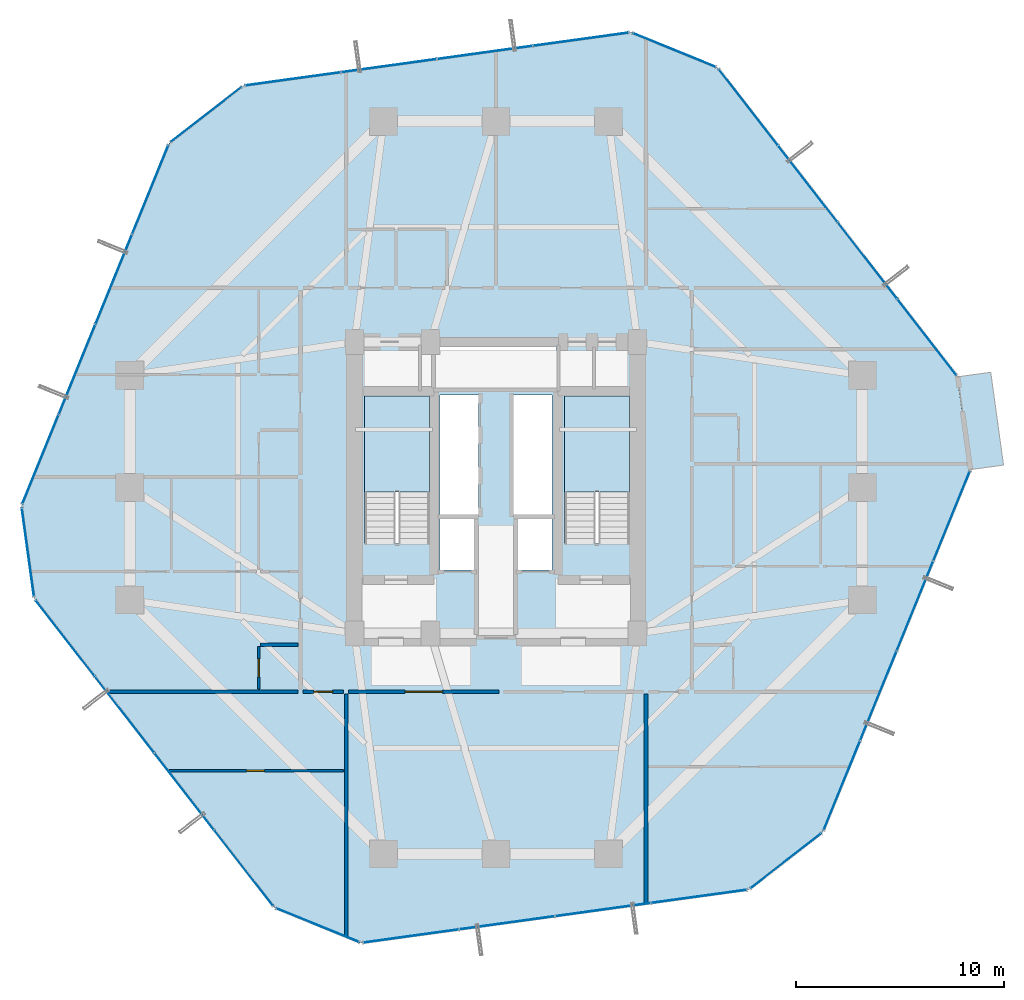
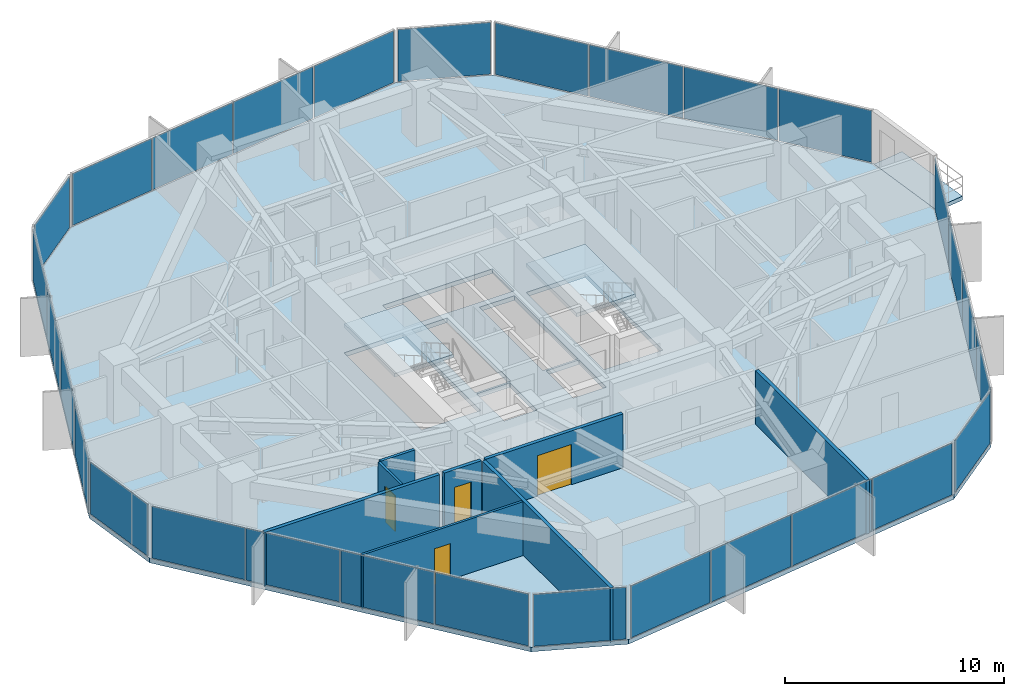
# One storey, part 32 of 37: 29 plates, 8 walls, 4 doors, 4 slabs, 4 openings, 13 elements without a shape of their own.
"""IFC4 building model written with IfcOpenShell, lengths in metres."""

from ifc_helpers import new_model, si_unit, direction, frame, frame_2d, origin, origin_2d, place, context, subcontext, project, spatial, polyline, rectangle, outline, extrude, source, transform, mapped, material, layer, layer_set, type_object, element, fill, aggregate, save


model = new_model("IFC4")

# Units and contexts
model_context = context("Model", 3, precision=1e-05, world=origin(), true_north=direction((0.0, 1.0)))
body_context = subcontext(model_context, "Body", "Model", "MODEL_VIEW")
ifc_project = project(units=[si_unit("LENGTHUNIT", "METRE"), si_unit("AREAUNIT", "SQUARE_METRE"), si_unit("VOLUMEUNIT", "CUBIC_METRE"), si_unit("PLANEANGLEUNIT", "RADIAN"), si_unit("MASSUNIT", "GRAM", prefix="KILO")], contexts=[model_context])

# Site, building, storey
site_placement = place(None, origin())
site = spatial("IfcSite", under=ifc_project, at=site_placement, CompositionType="ELEMENT")
building_placement = place(site_placement, origin())
building = spatial("IfcBuilding", under=site, at=building_placement, Name="Veraguas Prism Commons", CompositionType="ELEMENT")
storey_placement = place(building_placement, frame((0.0, 0.0, 50.050048828125)))
storey = spatial("IfcBuildingStorey", under=building, at=storey_placement, Name="L13", CompositionType="ELEMENT", Elevation=50.050048828125)

# Stair, slab
ifc_material_1 = material(Name="Precast concrete C45/55", Category="concrete")
stair_type = type_object("IfcStairType", Name="Dogleg Core Stair 1480W 20R 05", PredefinedType="HALF_TURN_STAIR", material=ifc_material_1)
stair_1_placement = place(storey_placement, origin())
stair_1 = element("IfcStair", 1, at=stair_1_placement, inside=storey, type_object=stair_type, Name="Protected Exit Stair ST-01 L13", PredefinedType="HALF_TURN_STAIR")
ifc_layer_1 = layer(ifc_material_1, 0.199951171875, Name="Precast Stair and Ramp Landing Slab 200", Category="concrete")
ifc_layer_set_1 = layer_set([ifc_layer_1], Name="Precast concrete C45/55")
slab_type_1 = type_object("IfcSlabType", Name="Precast Stair and Ramp Landing Slab 200", PredefinedType="LANDING", material=ifc_layer_set_1)
slab_1_placement = place(storey_placement, frame((0.0, 0.0, 1.425048828125)))
slab_1 = element("IfcSlab", 2, at=slab_1_placement, type_object=slab_type_1, Name="ST-05 Landing 1", PredefinedType="LANDING", context=body_context, shape_type="SweptSolid", body=[
    extrude(outline(polyline([(20.800048828125, 23.800048828125), (20.800048828125, 28.39990234375), (17.68994140625, 28.39990234375), (17.68994140625, 23.800048828125), (20.800048828125, 23.800048828125)])), origin(), (0.0, 0.0, 1.0), 0.199951171875),
])
aggregate(stair_1, [slab_1])

stair_2_placement = place(storey_placement, origin())
stair_2 = element("IfcStair", 3, at=stair_2_placement, inside=storey, type_object=stair_type, Name="Protected Exit Stair ST-02 L13", PredefinedType="HALF_TURN_STAIR")
slab_2_placement = place(storey_placement, frame((0.0, 0.0, 1.425048828125)))
slab_2 = element("IfcSlab", 4, at=slab_2_placement, type_object=slab_type_1, Name="ST-05 Landing 1", PredefinedType="LANDING", context=body_context, shape_type="SweptSolid", body=[
    extrude(outline(polyline([(30.39990234375, 23.800048828125), (30.39990234375, 28.39990234375), (27.2900390625, 28.39990234375), (27.2900390625, 23.800048828125), (30.39990234375, 23.800048828125)])), origin(), (0.0, 0.0, 1.0), 0.199951171875),
])
aggregate(stair_2, [slab_2])

# Slabs
ifc_material_2 = material(Name="Concrete C45/55", Category="concrete")
ifc_layer_2 = layer(ifc_material_2, 0.219970703125, Name="Recessed Loggia and Terrace Slab RC 220", Category="concrete")
ifc_layer_set_2 = layer_set([ifc_layer_2], Name="Concrete C45/55")
slab_type_2 = type_object("IfcSlabType", Name="Recessed Loggia and Terrace Slab RC 220", PredefinedType="FLOOR", material=ifc_layer_set_2)
slab_3_placement = place(storey_placement, frame((0.0, 0.0, -0.219970703125)))
element("IfcSlab", 5, at=slab_3_placement, inside=storey, type_object=slab_type_2, Name="Recessed Corner Loggia L13-C1", PredefinedType="FLOOR", context=body_context, shape_type="SweptSolid", body=[
    extrude(outline(polyline([(46.77587890625, 24.864990234375), (48.380615234375, 25.085693359375), (47.766845703125, 29.543701171875), (46.162109375, 29.32275390625), (46.77587890625, 24.864990234375)])), origin(), (0.0, 0.0, 1.0), 0.219970703125),
])
ifc_layer_3 = layer(ifc_material_2, 0.25, Name="Tower Lower Residential Floor Slab RC 250", Category="concrete")
ifc_layer_set_3 = layer_set([ifc_layer_3], Name="Concrete C45/55")
slab_type_3 = type_object("IfcSlabType", Name="Tower Lower Residential Floor Slab RC 250", PredefinedType="FLOOR", material=ifc_layer_set_3)
slab_4_placement = place(storey_placement, frame((0.0, 0.0, -0.25)))
element("IfcSlab", 6, at=slab_4_placement, inside=storey, type_object=slab_type_3, Name="Tower Floor Slab L13", PredefinedType="FLOOR", context=body_context, shape_type="SweptSolid", body=[
    extrude(outline(polyline([(46.795654296875, 24.86767578125), (46.181884765625, 29.325439453125), (34.646484375, 44.17529296875), (30.47900390625, 45.872802734375), (11.850830078125, 43.307861328125), (8.297119140625, 40.54736328125), (1.204345703125, 23.13232421875), (1.818115234375, 18.674560546875), (13.353515625, 3.82470703125), (17.52099609375, 2.127197265625), (36.149169921875, 4.692138671875), (39.702880859375, 7.45263671875), (46.795654296875, 24.86767578125)]), holes=[polyline([(20.800048828125, 21.31005859375), (20.800048828125, 28.39990234375), (17.68994140625, 28.39990234375), (17.68994140625, 21.31005859375), (20.800048828125, 21.31005859375)]), polyline([(30.39990234375, 21.31005859375), (30.39990234375, 28.39990234375), (27.2900390625, 28.39990234375), (27.2900390625, 21.31005859375), (30.39990234375, 21.31005859375)]), polyline([(21.300048828125, 22.64990234375), (23.14990234375, 22.64990234375), (23.14990234375, 28.449951171875), (21.300048828125, 28.449951171875), (21.300048828125, 22.64990234375)]), polyline([(24.85009765625, 22.64990234375), (26.699951171875, 22.64990234375), (26.699951171875, 28.449951171875), (24.85009765625, 28.449951171875), (24.85009765625, 22.64990234375)]), polyline([(21.10009765625, 28.800048828125), (26.89990234375, 28.800048828125), (26.89990234375, 30.800048828125), (21.10009765625, 30.800048828125), (21.10009765625, 28.800048828125)]), polyline([(21.300048828125, 20.050048828125), (23.050048828125, 20.050048828125), (23.050048828125, 22.550048828125), (21.300048828125, 22.550048828125), (21.300048828125, 20.050048828125)]), polyline([(24.949951171875, 20.050048828125), (26.699951171875, 20.050048828125), (26.699951171875, 22.550048828125), (24.949951171875, 22.550048828125), (24.949951171875, 20.050048828125)])]), origin(), (0.0, 0.0, 1.0), 0.25),
])

# Curtain wall, plates
ifc_material_3 = material(Name="Anodised aluminium EN AW-6063 T6", Category="aluminium")
ifc_layer_4 = layer(ifc_material_3, 0.169921875, Name="Unitised Flush Curtain Wall Zone 1", Category="aluminium")
ifc_layer_set_4 = layer_set([ifc_layer_4], Name="Anodised aluminium EN AW-6063 T6")
curtain_wall_type = type_object("IfcCurtainWallType", Name="Unitised Flush Curtain Wall Zone 1", PredefinedType="NOTDEFINED", material=ifc_layer_set_4)
curtain_wall_1_placement = place(storey_placement, origin())
curtain_wall_1 = element("IfcCurtainWall", 7, at=curtain_wall_1_placement, inside=storey, type_object=curtain_wall_type, Name="Tower Facade Curtain Wall L13-F1", PredefinedType="NOTDEFINED")
ifc_material_4 = material(Name="Laminated low-e glass", Category="glass")
ifc_layer_5 = layer(ifc_material_4, 0.028076171875, Name="Unitised Double Low-E Glazed Panel 28", Category="glass")
ifc_layer_set_5 = layer_set([ifc_layer_5], Name="Laminated low-e glass")
plate_type = type_object("IfcPlateType", Name="Unitised Double Low-E Glazed Panel 28", PredefinedType="CURTAIN_PANEL", material=ifc_layer_set_5)
shared_shape_1 = source(origin(), body_context, "Body", "SweptSolid", [
    extrude(rectangle(XDim=4.5810546875, YDim=0.028076171875, at=origin_2d()), origin(), (0.0, 0.0, 1.0), 2.889892578125),
])
plate_1_placement = place(storey_placement, frame((44.703125, 31.229248046875, 0.05517578125), z_axis=(0.0, 0.0, 1.0), x_axis=(-0.613461293172, 0.789724788632, 0.0)))
plate_1 = element("IfcPlate", 8, at=plate_1_placement, type_object=plate_type, Name="CW-Z1 Panel 1.1", PredefinedType="CURTAIN_PANEL", context=body_context, shape_type="MappedRepresentation", body=[
    mapped(shared_shape_1, transform((0.0, 0.0, 0.0), scale=1.0)),
])
plate_2_placement = place(storey_placement, frame((36.125244140625, 42.271728515625, 0.05517578125), z_axis=(0.0, 0.0, 1.0), x_axis=(-0.613461293172, 0.789724788632, 0.0)))
plate_2 = element("IfcPlate", 9, at=plate_2_placement, type_object=plate_type, Name="CW-Z1 Panel 4.1", PredefinedType="CURTAIN_PANEL", context=body_context, shape_type="MappedRepresentation", body=[
    mapped(shared_shape_1, transform((0.0, 0.0, 0.0), scale=1.0)),
])

curtain_wall_2_placement = place(storey_placement, origin())
curtain_wall_2 = element("IfcCurtainWall", 10, at=curtain_wall_2_placement, inside=storey, type_object=curtain_wall_type, Name="Tower Facade Curtain Wall L13-F2", PredefinedType="NOTDEFINED")
plate_3_placement = place(storey_placement, frame((28.091064453125, 45.5439453125, 0.05517578125), z_axis=(0.0, 0.0, 1.0), x_axis=(-0.99065308977, -0.136405482764, 0.0)))
plate_3 = element("IfcPlate", 11, at=plate_3_placement, type_object=plate_type, Name="CW-Z1 Panel 1.1", PredefinedType="CURTAIN_PANEL", context=body_context, shape_type="MappedRepresentation", body=[
    mapped(shared_shape_1, transform((0.0, 0.0, 0.0), scale=1.0)),
])
plate_4_placement = place(storey_placement, frame((14.23876953125, 43.63671875, 0.05517578125), z_axis=(0.0, 0.0, 1.0), x_axis=(-0.99065308977, -0.136405482764, 0.0)))
plate_4 = element("IfcPlate", 12, at=plate_4_placement, type_object=plate_type, Name="CW-Z1 Panel 4.1", PredefinedType="CURTAIN_PANEL", context=body_context, shape_type="MappedRepresentation", body=[
    mapped(shared_shape_1, transform((0.0, 0.0, 0.0), scale=1.0)),
])

curtain_wall_3_placement = place(storey_placement, origin())
curtain_wall_3 = element("IfcCurtainWall", 13, at=curtain_wall_3_placement, inside=storey, type_object=curtain_wall_type, Name="Tower Facade Curtain Wall L13-F3", PredefinedType="NOTDEFINED")
plate_5_placement = place(storey_placement, frame((7.3876953125, 38.31494140625, 0.05517578125), z_axis=(0.0, 0.0, 1.0), x_axis=(-0.377197548003, -0.926132825128, 0.0)))
plate_5 = element("IfcPlate", 14, at=plate_5_placement, type_object=plate_type, Name="CW-Z1 Panel 1.1", PredefinedType="CURTAIN_PANEL", context=body_context, shape_type="MappedRepresentation", body=[
    mapped(shared_shape_1, transform((0.0, 0.0, 0.0), scale=1.0)),
])
plate_6_placement = place(storey_placement, frame((2.113525390625, 25.36474609375, 0.05517578125), z_axis=(0.0, 0.0, 1.0), x_axis=(-0.377197548003, -0.926132825128, 0.0)))
plate_6 = element("IfcPlate", 15, at=plate_6_placement, type_object=plate_type, Name="CW-Z1 Panel 4.1", PredefinedType="CURTAIN_PANEL", context=body_context, shape_type="MappedRepresentation", body=[
    mapped(shared_shape_1, transform((0.0, 0.0, 0.0), scale=1.0)),
])

curtain_wall_4_placement = place(storey_placement, origin())
curtain_wall_4 = element("IfcCurtainWall", 16, at=curtain_wall_4_placement, inside=storey, type_object=curtain_wall_type, Name="Tower Facade Curtain Wall L13-F4", PredefinedType="NOTDEFINED")
plate_7_placement = place(storey_placement, frame((3.296875, 16.770751953125, 0.05517578125), z_axis=(0.0, 0.0, 1.0), x_axis=(0.613461293172, -0.789724788632, 0.0)))
plate_7 = element("IfcPlate", 17, at=plate_7_placement, type_object=plate_type, Name="CW-Z1 Panel 1.1", PredefinedType="CURTAIN_PANEL", context=body_context, shape_type="MappedRepresentation", body=[
    mapped(shared_shape_1, transform((0.0, 0.0, 0.0), scale=1.0)),
])
plate_8_placement = place(storey_placement, frame((11.874755859375, 5.728271484375, 0.05517578125), z_axis=(0.0, 0.0, 1.0), x_axis=(0.613461293172, -0.789724788632, 0.0)))
plate_8 = element("IfcPlate", 18, at=plate_8_placement, type_object=plate_type, Name="CW-Z1 Panel 4.1", PredefinedType="CURTAIN_PANEL", context=body_context, shape_type="MappedRepresentation", body=[
    mapped(shared_shape_1, transform((0.0, 0.0, 0.0), scale=1.0)),
])

curtain_wall_5_placement = place(storey_placement, origin())
curtain_wall_5 = element("IfcCurtainWall", 19, at=curtain_wall_5_placement, inside=storey, type_object=curtain_wall_type, Name="Tower Facade Curtain Wall L13-F5", PredefinedType="NOTDEFINED")
plate_9_placement = place(storey_placement, frame((19.908935546875, 2.4560546875, 0.05517578125), z_axis=(0.0, 0.0, 1.0), x_axis=(0.99065308977, 0.136405482764, 0.0)))
plate_9 = element("IfcPlate", 20, at=plate_9_placement, type_object=plate_type, Name="CW-Z1 Panel 1.1", PredefinedType="CURTAIN_PANEL", context=body_context, shape_type="MappedRepresentation", body=[
    mapped(shared_shape_1, transform((0.0, 0.0, 0.0), scale=1.0)),
])
plate_10_placement = place(storey_placement, frame((33.76123046875, 4.36328125, 0.05517578125), z_axis=(0.0, 0.0, 1.0), x_axis=(0.99065308977, 0.136405482764, 0.0)))
plate_10 = element("IfcPlate", 21, at=plate_10_placement, type_object=plate_type, Name="CW-Z1 Panel 4.1", PredefinedType="CURTAIN_PANEL", context=body_context, shape_type="MappedRepresentation", body=[
    mapped(shared_shape_1, transform((0.0, 0.0, 0.0), scale=1.0)),
])

curtain_wall_6_placement = place(storey_placement, origin())
curtain_wall_6 = element("IfcCurtainWall", 22, at=curtain_wall_6_placement, inside=storey, type_object=curtain_wall_type, Name="Tower Facade Curtain Wall L13-F6", PredefinedType="NOTDEFINED")
plate_11_placement = place(storey_placement, frame((40.6123046875, 9.68505859375, 0.05517578125), z_axis=(0.0, 0.0, 1.0), x_axis=(0.377197548003, 0.926132825128, 0.0)))
plate_11 = element("IfcPlate", 23, at=plate_11_placement, type_object=plate_type, Name="CW-Z1 Panel 1.1", PredefinedType="CURTAIN_PANEL", context=body_context, shape_type="MappedRepresentation", body=[
    mapped(shared_shape_1, transform((0.0, 0.0, 0.0), scale=1.0)),
])
plate_12_placement = place(storey_placement, frame((45.886474609375, 22.63525390625, 0.05517578125), z_axis=(0.0, 0.0, 1.0), x_axis=(0.377197548003, 0.926132825128, 0.0)))
plate_12 = element("IfcPlate", 24, at=plate_12_placement, type_object=plate_type, Name="CW-Z1 Panel 4.1", PredefinedType="CURTAIN_PANEL", context=body_context, shape_type="MappedRepresentation", body=[
    mapped(shared_shape_1, transform((0.0, 0.0, 0.0), scale=1.0)),
])

# Plate
shared_shape_2 = source(origin(), body_context, "Body", "SweptSolid", [
    extrude(rectangle(XDim=4.611083984375, YDim=0.028076171875, at=origin_2d()), origin(), (0.0, 0.0, 1.0), 2.889892578125),
])
plate_13_placement = place(storey_placement, frame((23.478515625, 44.908935546875, 0.05517578125), z_axis=(0.0, 0.0, 1.0), x_axis=(-0.99065308977, -0.136405482764, 0.0)))
plate_13 = element("IfcPlate", 25, at=plate_13_placement, type_object=plate_type, Name="CW-Z1 Panel 2.1", PredefinedType="CURTAIN_PANEL", context=body_context, shape_type="MappedRepresentation", body=[
    mapped(shared_shape_2, transform((0.0, 0.0, 0.0), scale=1.0)),
])

plate_14_placement = place(storey_placement, frame((18.85107421875, 44.271728515625, 0.05517578125), z_axis=(0.0, 0.0, 1.0), x_axis=(-0.99065308977, -0.136405482764, 0.0)))
plate_14 = element("IfcPlate", 26, at=plate_14_placement, type_object=plate_type, Name="CW-Z1 Panel 3.1", PredefinedType="CURTAIN_PANEL", context=body_context, shape_type="MappedRepresentation", body=[
    mapped(shared_shape_2, transform((0.0, 0.0, 0.0), scale=1.0)),
])

aggregate(curtain_wall_2, [plate_3, plate_13, plate_14, plate_4])

plate_15_placement = place(storey_placement, frame((24.521484375, 3.091064453125, 0.05517578125), z_axis=(0.0, 0.0, 1.0), x_axis=(0.99065308977, 0.136405482764, 0.0)))
plate_15 = element("IfcPlate", 27, at=plate_15_placement, type_object=plate_type, Name="CW-Z1 Panel 2.1", PredefinedType="CURTAIN_PANEL", context=body_context, shape_type="MappedRepresentation", body=[
    mapped(shared_shape_2, transform((0.0, 0.0, 0.0), scale=1.0)),
])

plate_16_placement = place(storey_placement, frame((29.14892578125, 3.728271484375, 0.05517578125), z_axis=(0.0, 0.0, 1.0), x_axis=(0.99065308977, 0.136405482764, 0.0)))
plate_16 = element("IfcPlate", 28, at=plate_16_placement, type_object=plate_type, Name="CW-Z1 Panel 3.1", PredefinedType="CURTAIN_PANEL", context=body_context, shape_type="MappedRepresentation", body=[
    mapped(shared_shape_2, transform((0.0, 0.0, 0.0), scale=1.0)),
])

aggregate(curtain_wall_5, [plate_9, plate_15, plate_16, plate_10])

shared_shape_3 = source(origin(), body_context, "Body", "SweptSolid", [
    extrude(rectangle(XDim=4.61083984375, YDim=0.028076171875, at=origin_2d()), origin(), (0.0, 0.0, 1.0), 2.889892578125),
])
plate_17_placement = place(storey_placement, frame((41.846923828125, 34.906005859375, 0.05517578125), z_axis=(0.0, 0.0, 1.0), x_axis=(-0.613461293172, 0.789724788632, 0.0)))
plate_17 = element("IfcPlate", 29, at=plate_17_placement, type_object=plate_type, Name="CW-Z1 Panel 2.1", PredefinedType="CURTAIN_PANEL", context=body_context, shape_type="MappedRepresentation", body=[
    mapped(shared_shape_3, transform((0.0, 0.0, 0.0), scale=1.0)),
])

plate_18_placement = place(storey_placement, frame((38.9814453125, 38.5947265625, 0.05517578125), z_axis=(0.0, 0.0, 1.0), x_axis=(-0.613461293172, 0.789724788632, 0.0)))
plate_18 = element("IfcPlate", 30, at=plate_18_placement, type_object=plate_type, Name="CW-Z1 Panel 3.1", PredefinedType="CURTAIN_PANEL", context=body_context, shape_type="MappedRepresentation", body=[
    mapped(shared_shape_3, transform((0.0, 0.0, 0.0), scale=1.0)),
])

aggregate(curtain_wall_1, [plate_1, plate_17, plate_18, plate_2])

plate_19_placement = place(storey_placement, frame((5.631591796875, 34.0029296875, 0.05517578125), z_axis=(0.0, 0.0, 1.0), x_axis=(-0.377197548003, -0.926132825128, 0.0)))
plate_19 = element("IfcPlate", 31, at=plate_19_placement, type_object=plate_type, Name="CW-Z1 Panel 2.1", PredefinedType="CURTAIN_PANEL", context=body_context, shape_type="MappedRepresentation", body=[
    mapped(shared_shape_3, transform((0.0, 0.0, 0.0), scale=1.0)),
])

plate_20_placement = place(storey_placement, frame((3.86962890625, 29.677001953125, 0.05517578125), z_axis=(0.0, 0.0, 1.0), x_axis=(-0.377197548003, -0.926132825128, 0.0)))
plate_20 = element("IfcPlate", 32, at=plate_20_placement, type_object=plate_type, Name="CW-Z1 Panel 3.1", PredefinedType="CURTAIN_PANEL", context=body_context, shape_type="MappedRepresentation", body=[
    mapped(shared_shape_3, transform((0.0, 0.0, 0.0), scale=1.0)),
])

aggregate(curtain_wall_3, [plate_5, plate_19, plate_20, plate_6])

plate_21_placement = place(storey_placement, frame((6.153076171875, 13.093994140625, 0.05517578125), z_axis=(0.0, 0.0, 1.0), x_axis=(0.613461293172, -0.789724788632, 0.0)))
plate_21 = element("IfcPlate", 33, at=plate_21_placement, type_object=plate_type, Name="CW-Z1 Panel 2.1", PredefinedType="CURTAIN_PANEL", context=body_context, shape_type="MappedRepresentation", body=[
    mapped(shared_shape_3, transform((0.0, 0.0, 0.0), scale=1.0)),
])

plate_22_placement = place(storey_placement, frame((9.0185546875, 9.4052734375, 0.05517578125), z_axis=(0.0, 0.0, 1.0), x_axis=(0.613461293172, -0.789724788632, 0.0)))
plate_22 = element("IfcPlate", 34, at=plate_22_placement, type_object=plate_type, Name="CW-Z1 Panel 3.1", PredefinedType="CURTAIN_PANEL", context=body_context, shape_type="MappedRepresentation", body=[
    mapped(shared_shape_3, transform((0.0, 0.0, 0.0), scale=1.0)),
])

aggregate(curtain_wall_4, [plate_7, plate_21, plate_22, plate_8])

plate_23_placement = place(storey_placement, frame((42.368408203125, 13.9970703125, 0.05517578125), z_axis=(0.0, 0.0, 1.0), x_axis=(0.377197548003, 0.926132825128, 0.0)))
plate_23 = element("IfcPlate", 35, at=plate_23_placement, type_object=plate_type, Name="CW-Z1 Panel 2.1", PredefinedType="CURTAIN_PANEL", context=body_context, shape_type="MappedRepresentation", body=[
    mapped(shared_shape_3, transform((0.0, 0.0, 0.0), scale=1.0)),
])

plate_24_placement = place(storey_placement, frame((44.13037109375, 18.322998046875, 0.05517578125), z_axis=(0.0, 0.0, 1.0), x_axis=(0.377197548003, 0.926132825128, 0.0)))
plate_24 = element("IfcPlate", 36, at=plate_24_placement, type_object=plate_type, Name="CW-Z1 Panel 3.1", PredefinedType="CURTAIN_PANEL", context=body_context, shape_type="MappedRepresentation", body=[
    mapped(shared_shape_3, transform((0.0, 0.0, 0.0), scale=1.0)),
])

aggregate(curtain_wall_6, [plate_11, plate_23, plate_24, plate_12])

# Curtain wall, plate
curtain_wall_7_placement = place(storey_placement, origin())
curtain_wall_7 = element("IfcCurtainWall", 37, at=curtain_wall_7_placement, inside=storey, type_object=curtain_wall_type, Name="Chamfer Curtain Wall L13-C2", PredefinedType="NOTDEFINED")
shared_shape_4 = source(origin(), body_context, "Body", "SweptSolid", [
    extrude(rectangle(XDim=4.260009765625, YDim=0.028076171875, at=origin_2d()), origin(), (0.0, 0.0, 1.0), 2.889892578125),
])
plate_25_placement = place(storey_placement, frame((32.562744140625, 45.024169921875, 0.05517578125), z_axis=(0.0, 0.0, 1.0), x_axis=(-0.926124924918, 0.377216944801, 0.0)))
plate_25 = element("IfcPlate", 38, at=plate_25_placement, type_object=plate_type, Name="CW-Z1 Panel 1.1", PredefinedType="CURTAIN_PANEL", context=body_context, shape_type="MappedRepresentation", body=[
    mapped(shared_shape_4, transform((0.0, 0.0, 0.0), scale=1.0)),
])
aggregate(curtain_wall_7, [plate_25])

curtain_wall_8_placement = place(storey_placement, origin())
curtain_wall_8 = element("IfcCurtainWall", 39, at=curtain_wall_8_placement, inside=storey, type_object=curtain_wall_type, Name="Chamfer Curtain Wall L13-C3", PredefinedType="NOTDEFINED")
plate_26_placement = place(storey_placement, frame((10.073974609375, 41.927490234375, 0.05517578125), z_axis=(0.0, 0.0, 1.0), x_axis=(-0.789732283416, -0.613451644818, 0.0)))
plate_26 = element("IfcPlate", 40, at=plate_26_placement, type_object=plate_type, Name="CW-Z1 Panel 1.1", PredefinedType="CURTAIN_PANEL", context=body_context, shape_type="MappedRepresentation", body=[
    mapped(shared_shape_4, transform((0.0, 0.0, 0.0), scale=1.0)),
])
aggregate(curtain_wall_8, [plate_26])

curtain_wall_9_placement = place(storey_placement, origin())
curtain_wall_9 = element("IfcCurtainWall", 41, at=curtain_wall_9_placement, inside=storey, type_object=curtain_wall_type, Name="Chamfer Curtain Wall L13-C4", PredefinedType="NOTDEFINED")
plate_27_placement = place(storey_placement, frame((1.51123046875, 20.903564453125, 0.05517578125), z_axis=(0.0, 0.0, 1.0), x_axis=(0.136391650625, -0.990654994254, 0.0)))
plate_27 = element("IfcPlate", 42, at=plate_27_placement, type_object=plate_type, Name="CW-Z1 Panel 1.1", PredefinedType="CURTAIN_PANEL", context=body_context, shape_type="MappedRepresentation", body=[
    mapped(shared_shape_4, transform((0.0, 0.0, 0.0), scale=1.0)),
])
aggregate(curtain_wall_9, [plate_27])

curtain_wall_10_placement = place(storey_placement, origin())
curtain_wall_10 = element("IfcCurtainWall", 43, at=curtain_wall_10_placement, inside=storey, type_object=curtain_wall_type, Name="Chamfer Curtain Wall L13-C5", PredefinedType="NOTDEFINED")
plate_28_placement = place(storey_placement, frame((15.437255859375, 2.975830078125, 0.05517578125), z_axis=(0.0, 0.0, 1.0), x_axis=(0.926124924918, -0.377216944801, 0.0)))
plate_28 = element("IfcPlate", 44, at=plate_28_placement, type_object=plate_type, Name="CW-Z1 Panel 1.1", PredefinedType="CURTAIN_PANEL", context=body_context, shape_type="MappedRepresentation", body=[
    mapped(shared_shape_4, transform((0.0, 0.0, 0.0), scale=1.0)),
])
aggregate(curtain_wall_10, [plate_28])

curtain_wall_11_placement = place(storey_placement, origin())
curtain_wall_11 = element("IfcCurtainWall", 45, at=curtain_wall_11_placement, inside=storey, type_object=curtain_wall_type, Name="Chamfer Curtain Wall L13-C6", PredefinedType="NOTDEFINED")
plate_29_placement = place(storey_placement, frame((37.926025390625, 6.072509765625, 0.05517578125), z_axis=(0.0, 0.0, 1.0), x_axis=(0.789732283416, 0.613451644818, 0.0)))
plate_29 = element("IfcPlate", 46, at=plate_29_placement, type_object=plate_type, Name="CW-Z1 Panel 1.1", PredefinedType="CURTAIN_PANEL", context=body_context, shape_type="MappedRepresentation", body=[
    mapped(shared_shape_4, transform((0.0, 0.0, 0.0), scale=1.0)),
])
aggregate(curtain_wall_11, [plate_29])

# Walls
ifc_material_5 = material(Name="Autoclaved aerated masonry block 10 MPa", Category="masonry")
ifc_layer_6 = layer(ifc_material_5, 0.179931640625, Name="Corridor and Inter-Tenancy Partition 180", Category="masonry")
ifc_layer_set_6 = layer_set([ifc_layer_6], Name="Autoclaved aerated masonry block 10 MPa")
wall_type_1 = type_object("IfcWallType", Name="Corridor and Inter-Tenancy Partition 180", PredefinedType="PARTITIONING", material=ifc_layer_set_6)
wall_1_placement = place(storey_placement, frame((16.800048828125, 14.080078125, 0.0), z_axis=(0.0, 0.0, 1.0), x_axis=(0.0, -1.0, 0.0)))
element("IfcWall", 47, at=wall_1_placement, inside=storey, type_object=wall_type_1, Name="WL-L13-PT001", PredefinedType="PARTITIONING", context=body_context, shape_type="SweptSolid", body=[
    extrude(rectangle(XDim=11.691650390625, YDim=0.179931640625, at=frame_2d((5.845703125, 0.0))), origin(), (0.0, 0.0, 1.0), 3.0),
])
wall_2_placement = place(storey_placement, frame((31.199951171875, 14.080078125, 0.0), z_axis=(0.0, 0.0, 1.0), x_axis=(0.0, -1.0, 0.0)))
element("IfcWall", 48, at=wall_2_placement, inside=storey, type_object=wall_type_1, Name="WL-L13-PT002", PredefinedType="PARTITIONING", context=body_context, shape_type="SweptSolid", body=[
    extrude(rectangle(XDim=10.099609375, YDim=0.179931640625, at=frame_2d((5.0498046875, 0.0))), origin(), (0.0, 0.0, 1.0), 3.0),
])

# Wall, opening, door
wall_3_placement = place(storey_placement, frame((16.909912109375, 14.199951171875, 0.0), z_axis=(0.0, 0.0, 1.0), x_axis=(1.0, 0.0, 0.0)))
wall_3 = element("IfcWall", 49, at=wall_3_placement, inside=storey, type_object=wall_type_1, Name="WL-L13-PT003", PredefinedType="PARTITIONING", context=body_context, shape_type="SweptSolid", body=[
    extrude(rectangle(XDim=7.238037109375, YDim=0.179931640625, at=frame_2d((3.619140625, 0.0))), origin(), (0.0, 0.0, 1.0), 3.0),
])
opening_1_placement = place(wall_3_placement, frame((2.718994140625, 0.0, 0.0)))
opening_1 = element("IfcOpeningElement", 50, at=opening_1_placement, cuts=wall_3, Name="Opening DR-07", PredefinedType="OPENING", context=body_context, shape_type="SweptSolid", body=[
    extrude(rectangle(XDim=1.800048828125, YDim=2.25, at=frame_2d((0.89990234375, 1.125))), frame((0.0, 0.099853515625, 0.0), z_axis=(0.0, -1.0, 0.0), x_axis=(1.0, 0.0, 0.0)), (0.0, 0.0, 1.0), 0.199951171875),
])
ifc_material_6 = material(Name="Steel fire-rated door assembly", Category="steel")
door_type_1 = type_object("IfcDoorType", Name="Corridor Double Fire Door 1800x2250", OperationType="NOTDEFINED", PredefinedType="DOOR", material=ifc_material_6)
shared_shape_5 = source(origin(), body_context, "Body", "SweptSolid", [
    extrude(rectangle(XDim=1.800048828125, YDim=2.25, at=frame_2d((0.89990234375, 1.125))), frame((0.0, 0.02490234375, 0.0), z_axis=(0.0, -1.0, 0.0), x_axis=(1.0, 0.0, 0.0)), (0.0, 0.0, 1.0), 0.050048828125),
])
door_1_placement = place(opening_1_placement, origin())
door_1 = element("IfcDoor", 51, at=door_1_placement, inside=storey, type_object=door_type_1, Name="Community Multipurpose Assembly Hall Door 1", OperationType="SINGLE_SWING_LEFT", OverallHeight=2.25, OverallWidth=1.800048828125, PredefinedType="DOOR", context=body_context, shape_type="MappedRepresentation", body=[
    mapped(shared_shape_5, transform((0.0, 0.0, 0.0), scale=1.0)),
])
fill(opening_1, door_1)

# Wall
wall_4_placement = place(storey_placement, frame((14.47998046875, 14.199951171875, 0.0), z_axis=(0.0, 0.0, 1.0), x_axis=(-1.0, 0.0, 0.0)))
element("IfcWall", 52, at=wall_4_placement, inside=storey, type_object=wall_type_1, Name="WL-L13-PT016", PredefinedType="PARTITIONING", context=body_context, shape_type="SweptSolid", body=[
    extrude(rectangle(XDim=9.22412109375, YDim=0.179931640625, at=frame_2d((4.612060546875, 0.0))), origin(), (0.0, 0.0, 1.0), 3.0),
])

# Wall, opening, door
wall_5_placement = place(storey_placement, frame((14.719970703125, 14.199951171875, 0.0), z_axis=(0.0, 0.0, 1.0), x_axis=(1.0, 0.0, 0.0)))
wall_5 = element("IfcWall", 53, at=wall_5_placement, inside=storey, type_object=wall_type_1, Name="WL-L13-PT049", PredefinedType="PARTITIONING", context=body_context, shape_type="SweptSolid", body=[
    extrude(rectangle(XDim=1.9599609375, YDim=0.179931640625, at=frame_2d((0.97998046875, 0.0))), origin(), (0.0, 0.0, 1.0), 3.0),
])
opening_2_placement = place(wall_5_placement, frame((0.530029296875, 0.0, 0.0)))
opening_2 = element("IfcOpeningElement", 54, at=opening_2_placement, cuts=wall_5, Name="Opening DR-14", PredefinedType="OPENING", context=body_context, shape_type="SweptSolid", body=[
    extrude(rectangle(XDim=0.89990234375, YDim=2.010009765625, at=frame_2d((0.449951171875, 1.0048828125))), frame((0.0, 0.099853515625, 0.0), z_axis=(0.0, -1.0, 0.0), x_axis=(1.0, 0.0, 0.0)), (0.0, 0.0, 1.0), 0.199951171875),
])
door_type_2 = type_object("IfcDoorType", Name="Core Service Room Fire Door 900x2010", OperationType="NOTDEFINED", PredefinedType="DOOR", material=ifc_material_6)
shared_shape_6 = source(origin(), body_context, "Body", "SweptSolid", [
    extrude(rectangle(XDim=0.89990234375, YDim=2.010009765625, at=frame_2d((0.449951171875, 1.0048828125))), frame((0.0, 0.02490234375, 0.0), z_axis=(0.0, -1.0, 0.0), x_axis=(1.0, 0.0, 0.0)), (0.0, 0.0, 1.0), 0.050048828125),
])
door_2_placement = place(opening_2_placement, origin())
door_2 = element("IfcDoor", 55, at=door_2_placement, inside=storey, type_object=door_type_2, Name="Shared Laundry Room Door", OperationType="SINGLE_SWING_RIGHT", OverallHeight=2.010009765625, OverallWidth=0.89990234375, PredefinedType="DOOR", context=body_context, shape_type="MappedRepresentation", body=[
    mapped(shared_shape_6, transform((0.0, 0.0, 0.0), scale=1.0)),
])
fill(opening_2, door_2)

ifc_material_7 = material(Name="Lightweight acoustic gypsum board")
ifc_layer_7 = layer(ifc_material_7, 0.125, Name="Internal Apartment Room Partition 125")
ifc_layer_set_7 = layer_set([ifc_layer_7], Name="Lightweight acoustic gypsum board")
wall_type_2 = type_object("IfcWallType", Name="Internal Apartment Room Partition 125", PredefinedType="PARTITIONING", material=ifc_layer_set_7)
wall_6_placement = place(storey_placement, frame((12.60009765625, 14.320068359375, 0.0), z_axis=(0.0, 0.0, 1.0), x_axis=(0.0, 1.0, 0.0)))
wall_6 = element("IfcWall", 56, at=wall_6_placement, inside=storey, type_object=wall_type_2, Name="WL-L13-PT020", PredefinedType="PARTITIONING", context=body_context, shape_type="SweptSolid", body=[
    extrude(rectangle(XDim=2.050048828125, YDim=0.125, at=frame_2d((1.02490234375, 0.0))), origin(), (0.0, 0.0, 1.0), 3.0),
])
opening_3_placement = place(wall_6_placement, frame((0.594970703125, 0.0, 0.0)))
opening_3 = element("IfcOpeningElement", 57, at=opening_3_placement, cuts=wall_6, Name="Opening DR-03", PredefinedType="OPENING", context=body_context, shape_type="SweptSolid", body=[
    extrude(rectangle(XDim=0.860107421875, YDim=2.010009765625, at=frame_2d((0.43017578125, 1.0048828125))), frame((0.0, 0.072509765625, 0.0), z_axis=(0.0, -1.0, 0.0), x_axis=(1.0, 0.0, 0.0)), (0.0, 0.0, 1.0), 0.14501953125),
])
ifc_material_8 = material(Name="Timber moisture-resistant leaf", Category="wood")
door_type_3 = type_object("IfcDoorType", Name="Internal Bathroom Door 860x2010", OperationType="NOTDEFINED", PredefinedType="DOOR", material=ifc_material_8)
shared_shape_7 = source(origin(), body_context, "Body", "SweptSolid", [
    extrude(rectangle(XDim=0.860107421875, YDim=2.010009765625, at=frame_2d((0.43017578125, 1.0048828125))), frame((0.0, 0.02490234375, 0.0), z_axis=(0.0, -1.0, 0.0), x_axis=(1.0, 0.0, 0.0)), (0.0, 0.0, 1.0), 0.050048828125),
])
door_3_placement = place(opening_3_placement, origin())
door_3 = element("IfcDoor", 58, at=door_3_placement, inside=storey, type_object=door_type_3, Name="Flat 13A Bathroom Door", OperationType="SINGLE_SWING_RIGHT", OverallHeight=2.010009765625, OverallWidth=0.860107421875, PredefinedType="DOOR", context=body_context, shape_type="MappedRepresentation", body=[
    mapped(shared_shape_7, transform((0.0, 0.0, 0.0), scale=1.0)),
])
fill(opening_3, door_3)

wall_7_placement = place(storey_placement, frame((8.207763671875, 10.39990234375, 0.0), z_axis=(0.0, 0.0, 1.0), x_axis=(1.0, 0.0, 0.0)))
wall_7 = element("IfcWall", 59, at=wall_7_placement, inside=storey, type_object=wall_type_2, Name="WL-L13-PT050", PredefinedType="PARTITIONING", context=body_context, shape_type="SweptSolid", body=[
    extrude(rectangle(XDim=8.47216796875, YDim=0.125, at=frame_2d((4.236083984375, 0.0))), origin(), (0.0, 0.0, 1.0), 3.0),
])
opening_4_placement = place(wall_7_placement, frame((3.80615234375, 0.0, 0.0)))
opening_4 = element("IfcOpeningElement", 60, at=opening_4_placement, cuts=wall_7, Name="Opening DR-03", PredefinedType="OPENING", context=body_context, shape_type="SweptSolid", body=[
    extrude(rectangle(XDim=0.860107421875, YDim=2.010009765625, at=frame_2d((0.43017578125, 1.0048828125))), frame((0.0, 0.072509765625, 0.0), z_axis=(0.0, -1.0, 0.0), x_axis=(1.0, 0.0, 0.0)), (0.0, 0.0, 1.0), 0.14501953125),
])
door_4_placement = place(opening_4_placement, origin())
door_4 = element("IfcDoor", 61, at=door_4_placement, inside=storey, type_object=door_type_3, Name="Corner Store SW Door", OperationType="SINGLE_SWING_LEFT", OverallHeight=2.010009765625, OverallWidth=0.860107421875, PredefinedType="DOOR", context=body_context, shape_type="MappedRepresentation", body=[
    mapped(shared_shape_7, transform((0.0, 0.0, 0.0), scale=1.0)),
])
fill(opening_4, door_4)

# Wall
ifc_layer_8 = layer(ifc_material_7, 0.14990234375, Name="Wet Room and Clinic Acoustic Partition 150")
ifc_layer_set_8 = layer_set([ifc_layer_8], Name="Lightweight acoustic gypsum board")
wall_type_3 = type_object("IfcWallType", Name="Wet Room and Clinic Acoustic Partition 150", PredefinedType="PARTITIONING", material=ifc_layer_set_8)
wall_8_placement = place(storey_placement, frame((14.47998046875, 16.449951171875, 0.0), z_axis=(0.0, 0.0, 1.0), x_axis=(-1.0, 0.0, 0.0)))
element("IfcWall", 62, at=wall_8_placement, inside=storey, type_object=wall_type_3, Name="WL-L13-PT019", PredefinedType="PARTITIONING", context=body_context, shape_type="SweptSolid", body=[
    extrude(rectangle(XDim=1.800048828125, YDim=0.14990234375, at=frame_2d((0.89990234375, 0.0))), origin(), (0.0, 0.0, 1.0), 3.0),
])

save(model, "model.ifc")
